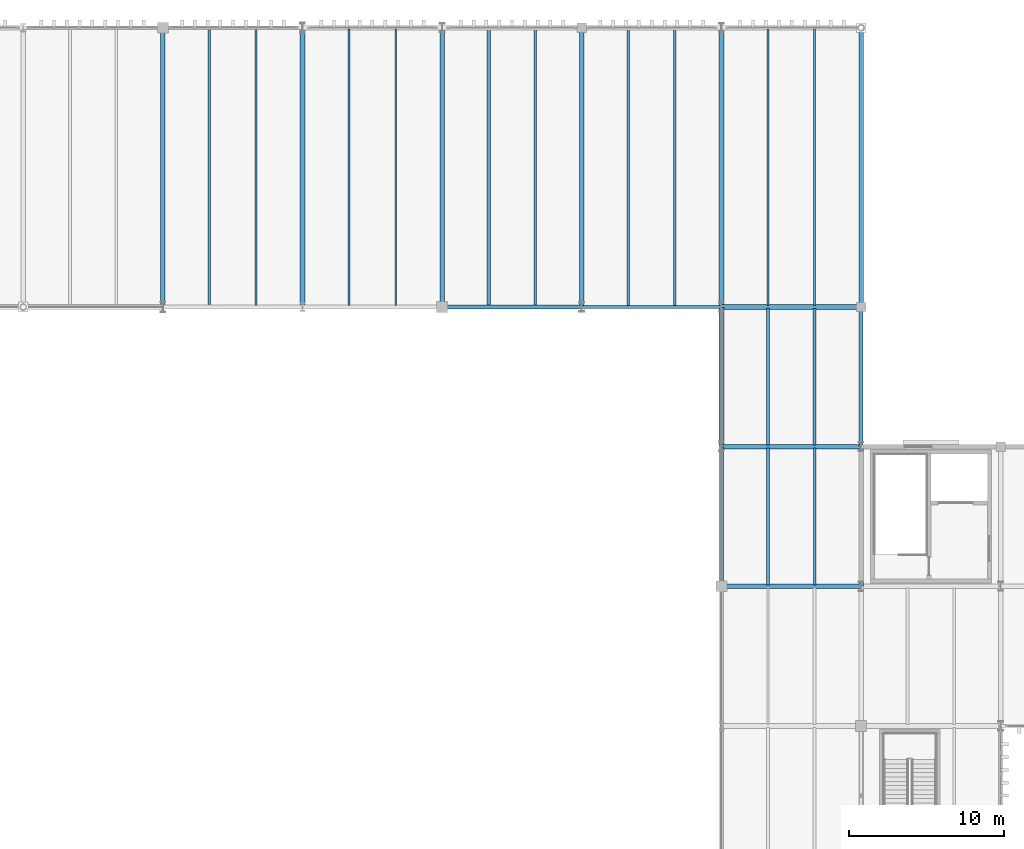
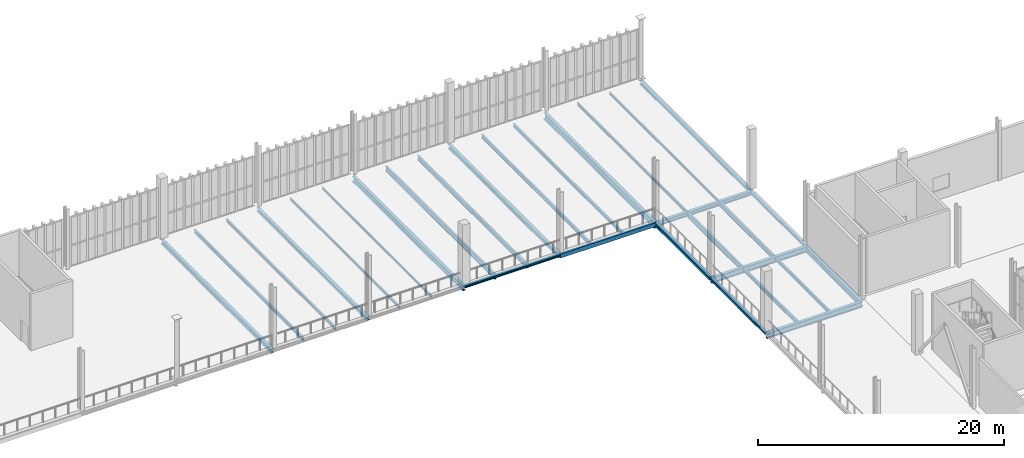
# One storey, part 84 of 211: 29 beams.
"""IFC4 building model written with IfcOpenShell, lengths in metres."""

from ifc_helpers import new_model, si_unit, direction, frame, origin, origin_2d, place, context, subcontext, project, spatial, hollow_rectangle, i_section, extrude, material, material_profile, profile_set, type_object, element, save


model = new_model("IFC4")

# Units and contexts
model_context = context("Model", 3, precision=1e-05, world=origin(), true_north=direction((0.0, 1.0)))
body_context = subcontext(model_context, "Body", "Model", "MODEL_VIEW")
ifc_project = project(units=[si_unit("LENGTHUNIT", "METRE"), si_unit("AREAUNIT", "SQUARE_METRE"), si_unit("VOLUMEUNIT", "CUBIC_METRE"), si_unit("PLANEANGLEUNIT", "RADIAN"), si_unit("MASSUNIT", "GRAM", prefix="KILO")], contexts=[model_context])

# Site, building, storey
site_placement = place(None, origin())
site = spatial("IfcSite", under=ifc_project, at=site_placement, CompositionType="ELEMENT")
building_placement = place(site_placement, origin())
building = spatial("IfcBuilding", under=site, at=building_placement, Name="Barlavento Convention Centre", CompositionType="ELEMENT")
storey_placement = place(building_placement, frame((0.0, 0.0, 6.0)))
storey = spatial("IfcBuildingStorey", under=building, at=storey_placement, Name="L01", CompositionType="ELEMENT", Elevation=6.0)

# Beams
ifc_material = material(Name="Steel S355", Category="steel")
ifc_material_profile_1 = material_profile(ifc_material, i_section(OverallWidth=0.110107421875, OverallDepth=0.219970703125, WebThickness=0.005859375, FlangeThickness=0.00927734375, FilletRadius=0.011962890625, at=origin_2d()), Name="IPE 220")
ifc_profile_set_1 = profile_set([ifc_material_profile_1], Name="Steel S355")
beam_type_1 = type_object("IfcBeamType", Name="STR-BM-JST-IPE220", PredefinedType="JOIST", material=ifc_profile_set_1)
beam_1_placement = place(storey_placement, frame((96.0, 117.094970703125, -0.389892578125), z_axis=(0.0, 1.0, 0.0), x_axis=(-1.0, 0.0, 0.0)))
element("IfcBeam", 1, at=beam_1_placement, inside=storey, type_object=beam_type_1, Name="L01 composite floor joist SJ10", PredefinedType="JOIST", context=body_context, shape_type="SweptSolid", body=[
    extrude(i_section(OverallWidth=0.110107421875, OverallDepth=0.219970703125, WebThickness=0.005859375, FlangeThickness=0.00927734375, FilletRadius=0.011962890625, at=origin_2d()), origin(), (0.0, 0.0, 1.0), 17.81005859375),
])
ifc_material_profile_2 = material_profile(ifc_material, i_section(OverallWidth=0.1201171875, OverallDepth=0.239990234375, WebThickness=0.006103515625, FlangeThickness=0.009765625, FilletRadius=0.014892578125, at=origin_2d()), Name="IPE 240")
ifc_profile_set_2 = profile_set([ifc_material_profile_2], Name="Steel S355")
beam_type_2 = type_object("IfcBeamType", Name="STR-BM-JST-IPE240", PredefinedType="JOIST", material=ifc_profile_set_2)
for number, where, z_axis, x_axis, name in (
    (2, (93.0, 117.094970703125, -0.39990234375), (0.0, 1.0, 0.0), (-1.0, 0.0, 0.0), "L01 composite floor joist SJ09"),
    (3, (123.0, 117.094970703125, -0.39990234375), (0.0, 1.0, 0.0), (-1.0, 0.0, 0.0), "L01 composite floor joist SJ09"),
):
    element("IfcBeam", number, at=place(storey_placement, frame(where, z_axis=z_axis, x_axis=x_axis)), inside=storey, type_object=beam_type_2, Name=name, PredefinedType="JOIST", context=body_context, shape_type="SweptSolid", body=[
        extrude(i_section(OverallWidth=0.1201171875, OverallDepth=0.239990234375, WebThickness=0.006103515625, FlangeThickness=0.009765625, FilletRadius=0.014892578125, at=origin_2d()), origin(), (0.0, 0.0, 1.0), 17.81005859375),
    ])
ifc_material_profile_3 = material_profile(ifc_material, i_section(OverallWidth=0.135009765625, OverallDepth=0.27001953125, WebThickness=0.006591796875, FlangeThickness=0.01025390625, FilletRadius=0.014892578125, at=origin_2d()), Name="IPE 270")
ifc_profile_set_3 = profile_set([ifc_material_profile_3], Name="Steel S355")
beam_type_3 = type_object("IfcBeamType", Name="STR-BM-JST-IPE270", PredefinedType="JOIST", material=ifc_profile_set_3)
beam_2_placement = place(storey_placement, frame((120.0, 117.094970703125, -0.4150390625), z_axis=(0.0, 1.0, 0.0), x_axis=(-1.0, 0.0, 0.0)))
element("IfcBeam", 4, at=beam_2_placement, inside=storey, type_object=beam_type_3, Name="L01 composite floor joist SJ08", PredefinedType="JOIST", context=body_context, shape_type="SweptSolid", body=[
    extrude(i_section(OverallWidth=0.135009765625, OverallDepth=0.27001953125, WebThickness=0.006591796875, FlangeThickness=0.01025390625, FilletRadius=0.014892578125, at=origin_2d()), origin(), (0.0, 0.0, 1.0), 17.81005859375),
])
ifc_material_profile_4 = material_profile(ifc_material, i_section(OverallWidth=0.14990234375, OverallDepth=0.300048828125, WebThickness=0.007080078125, FlangeThickness=0.0107421875, FilletRadius=0.014892578125, at=origin_2d()), Name="IPE 300")
ifc_profile_set_4 = profile_set([ifc_material_profile_4], Name="Steel S355")
beam_type_4 = type_object("IfcBeamType", Name="STR-BM-JST-IPE300", PredefinedType="JOIST", material=ifc_profile_set_4)
beam_3_placement = place(storey_placement, frame((87.0, 117.094970703125, -0.429931640625), z_axis=(0.0, 1.0, 0.0), x_axis=(-1.0, 0.0, 0.0)))
element("IfcBeam", 5, at=beam_3_placement, inside=storey, type_object=beam_type_4, Name="L01 composite floor joist SJ07", PredefinedType="JOIST", context=body_context, shape_type="SweptSolid", body=[
    extrude(i_section(OverallWidth=0.14990234375, OverallDepth=0.300048828125, WebThickness=0.007080078125, FlangeThickness=0.0107421875, FilletRadius=0.014892578125, at=origin_2d()), origin(), (0.0, 0.0, 1.0), 17.81005859375),
])
ifc_material_profile_5 = material_profile(ifc_material, i_section(OverallWidth=0.159912109375, OverallDepth=0.330078125, WebThickness=0.007568359375, FlangeThickness=0.011474609375, FilletRadius=0.01806640625, at=origin_2d()), Name="IPE 330")
ifc_profile_set_5 = profile_set([ifc_material_profile_5], Name="Steel S355")
beam_type_5 = type_object("IfcBeamType", Name="STR-BM-JST-IPE330", PredefinedType="JOIST", material=ifc_profile_set_5)
beam_4_placement = place(storey_placement, frame((123.0, 99.094970703125, -0.445068359375), z_axis=(0.0, 1.0, 0.0), x_axis=(-1.0, 0.0, 0.0)))
element("IfcBeam", 6, at=beam_4_placement, inside=storey, type_object=beam_type_5, Name="L01 composite floor joist SJ06", PredefinedType="JOIST", context=body_context, shape_type="SweptSolid", body=[
    extrude(i_section(OverallWidth=0.159912109375, OverallDepth=0.330078125, WebThickness=0.007568359375, FlangeThickness=0.011474609375, FilletRadius=0.01806640625, at=origin_2d()), origin(), (0.0, 0.0, 1.0), 8.81005859375),
])
for number, where, z_axis, x_axis, name in (
    (7, (84.0, 117.094970703125, -0.445068359375), (0.0, 1.0, 0.0), (-1.0, 0.0, 0.0), "L01 composite floor joist SJ06"),
    (8, (114.0, 117.094970703125, -0.445068359375), (0.0, 1.0, 0.0), (-1.0, 0.0, 0.0), "L01 composite floor joist SJ06"),
):
    element("IfcBeam", number, at=place(storey_placement, frame(where, z_axis=z_axis, x_axis=x_axis)), inside=storey, type_object=beam_type_5, Name=name, PredefinedType="JOIST", context=body_context, shape_type="SweptSolid", body=[
        extrude(i_section(OverallWidth=0.159912109375, OverallDepth=0.330078125, WebThickness=0.007568359375, FlangeThickness=0.011474609375, FilletRadius=0.01806640625, at=origin_2d()), origin(), (0.0, 0.0, 1.0), 17.81005859375),
    ])
ifc_material_profile_6 = material_profile(ifc_material, i_section(OverallWidth=0.169921875, OverallDepth=0.360107421875, WebThickness=0.008056640625, FlangeThickness=0.0126953125, FilletRadius=0.01806640625, at=origin_2d()), Name="IPE 360")
ifc_profile_set_6 = profile_set([ifc_material_profile_6], Name="Steel S355")
beam_type_6 = type_object("IfcBeamType", Name="STR-BM-JST-IPE360", PredefinedType="JOIST", material=ifc_profile_set_6)
beam_5_placement = place(storey_placement, frame((120.0, 99.094970703125, -0.4599609375), z_axis=(0.0, 1.0, 0.0), x_axis=(-1.0, 0.0, 0.0)))
element("IfcBeam", 9, at=beam_5_placement, inside=storey, type_object=beam_type_6, Name="L01 composite floor joist SJ05", PredefinedType="JOIST", context=body_context, shape_type="SweptSolid", body=[
    extrude(i_section(OverallWidth=0.169921875, OverallDepth=0.360107421875, WebThickness=0.008056640625, FlangeThickness=0.0126953125, FilletRadius=0.01806640625, at=origin_2d()), origin(), (0.0, 0.0, 1.0), 8.81005859375),
])
beam_6_placement = place(storey_placement, frame((111.0, 117.094970703125, -0.4599609375), z_axis=(0.0, 1.0, 0.0), x_axis=(-1.0, 0.0, 0.0)))
element("IfcBeam", 10, at=beam_6_placement, inside=storey, type_object=beam_type_6, Name="L01 composite floor joist SJ05", PredefinedType="JOIST", context=body_context, shape_type="SweptSolid", body=[
    extrude(i_section(OverallWidth=0.169921875, OverallDepth=0.360107421875, WebThickness=0.008056640625, FlangeThickness=0.0126953125, FilletRadius=0.01806640625, at=origin_2d()), origin(), (0.0, 0.0, 1.0), 17.81005859375),
])
ifc_material_profile_7 = material_profile(ifc_material, i_section(OverallWidth=0.18994140625, OverallDepth=0.449951171875, WebThickness=0.009521484375, FlangeThickness=0.0146484375, FilletRadius=0.02099609375, at=origin_2d()), Name="IPE 450")
ifc_profile_set_7 = profile_set([ifc_material_profile_7], Name="Steel S355")
beam_type_7 = type_object("IfcBeamType", Name="STR-BM-JST-IPE450", PredefinedType="JOIST", material=ifc_profile_set_7)
beam_7_placement = place(storey_placement, frame((123.0, 108.094970703125, -0.5048828125), z_axis=(0.0, 1.0, 0.0), x_axis=(-1.0, 0.0, 0.0)))
element("IfcBeam", 11, at=beam_7_placement, inside=storey, type_object=beam_type_7, Name="L01 composite floor joist SJ03", PredefinedType="JOIST", context=body_context, shape_type="SweptSolid", body=[
    extrude(i_section(OverallWidth=0.18994140625, OverallDepth=0.449951171875, WebThickness=0.009521484375, FlangeThickness=0.0146484375, FilletRadius=0.02099609375, at=origin_2d()), origin(), (0.0, 0.0, 1.0), 8.81005859375),
])
beam_8_placement = place(storey_placement, frame((105.0, 117.094970703125, -0.5048828125), z_axis=(0.0, 1.0, 0.0), x_axis=(-1.0, 0.0, 0.0)))
element("IfcBeam", 12, at=beam_8_placement, inside=storey, type_object=beam_type_7, Name="L01 composite floor joist SJ03", PredefinedType="JOIST", context=body_context, shape_type="SweptSolid", body=[
    extrude(i_section(OverallWidth=0.18994140625, OverallDepth=0.449951171875, WebThickness=0.009521484375, FlangeThickness=0.0146484375, FilletRadius=0.02099609375, at=origin_2d()), origin(), (0.0, 0.0, 1.0), 17.81005859375),
])
ifc_material_profile_8 = material_profile(ifc_material, i_section(OverallWidth=0.199951171875, OverallDepth=0.5, WebThickness=0.01025390625, FlangeThickness=0.01611328125, FilletRadius=0.02099609375, at=origin_2d()), Name="IPE 500")
ifc_profile_set_8 = profile_set([ifc_material_profile_8], Name="Steel S355")
beam_type_8 = type_object("IfcBeamType", Name="STR-BM-JST-IPE500", PredefinedType="JOIST", material=ifc_profile_set_8)
beam_9_placement = place(storey_placement, frame((120.0, 108.094970703125, -0.530029296875), z_axis=(0.0, 1.0, 0.0), x_axis=(-1.0, 0.0, 0.0)))
element("IfcBeam", 13, at=beam_9_placement, inside=storey, type_object=beam_type_8, Name="L01 composite floor joist SJ02", PredefinedType="JOIST", context=body_context, shape_type="SweptSolid", body=[
    extrude(i_section(OverallWidth=0.199951171875, OverallDepth=0.5, WebThickness=0.01025390625, FlangeThickness=0.01611328125, FilletRadius=0.02099609375, at=origin_2d()), origin(), (0.0, 0.0, 1.0), 8.81005859375),
])
beam_10_placement = place(storey_placement, frame((102.0, 117.094970703125, -0.530029296875), z_axis=(0.0, 1.0, 0.0), x_axis=(-1.0, 0.0, 0.0)))
element("IfcBeam", 14, at=beam_10_placement, inside=storey, type_object=beam_type_8, Name="L01 composite floor joist SJ02", PredefinedType="JOIST", context=body_context, shape_type="SweptSolid", body=[
    extrude(i_section(OverallWidth=0.199951171875, OverallDepth=0.5, WebThickness=0.01025390625, FlangeThickness=0.01611328125, FilletRadius=0.02099609375, at=origin_2d()), origin(), (0.0, 0.0, 1.0), 17.81005859375),
])
ifc_material_profile_9 = material_profile(ifc_material, i_section(OverallWidth=0.300048828125, OverallDepth=0.330078125, WebThickness=0.009521484375, FlangeThickness=0.0166015625, FilletRadius=0.027099609375, at=origin_2d()), Name="HEA 340")
ifc_profile_set_9 = profile_set([ifc_material_profile_9], Name="Steel S355")
beam_type_9 = type_object("IfcBeamType", Name="STR-BM-PRI-HEA340", PredefinedType="BEAM", material=ifc_profile_set_9)
beam_11_placement = place(storey_placement, frame((90.0, 117.02001953125, -0.445068359375), z_axis=(0.0, 1.0, 0.0), x_axis=(-1.0, 0.0, 0.0)))
element("IfcBeam", 15, at=beam_11_placement, inside=storey, type_object=beam_type_9, Name="L01 grid girder BG24", PredefinedType="BEAM", context=body_context, shape_type="SweptSolid", body=[
    extrude(i_section(OverallWidth=0.300048828125, OverallDepth=0.330078125, WebThickness=0.009521484375, FlangeThickness=0.0166015625, FilletRadius=0.027099609375, at=origin_2d()), origin(), (0.0, 0.0, 1.0), 17.9599609375),
])
ifc_material_profile_10 = material_profile(ifc_material, i_section(OverallWidth=0.300048828125, OverallDepth=0.389892578125, WebThickness=0.010986328125, FlangeThickness=0.01904296875, FilletRadius=0.027099609375, at=origin_2d()), Name="HEA 400")
ifc_profile_set_10 = profile_set([ifc_material_profile_10], Name="Steel S355")
beam_type_10 = type_object("IfcBeamType", Name="STR-BM-PRI-HEA400", PredefinedType="BEAM", material=ifc_profile_set_10)
beam_12_placement = place(storey_placement, frame((108.0, 117.02001953125, -0.47509765625), z_axis=(0.0, 1.0, 0.0), x_axis=(-1.0, 0.0, 0.0)))
element("IfcBeam", 16, at=beam_12_placement, inside=storey, type_object=beam_type_10, Name="L01 grid girder BG22", PredefinedType="BEAM", context=body_context, shape_type="SweptSolid", body=[
    extrude(i_section(OverallWidth=0.300048828125, OverallDepth=0.389892578125, WebThickness=0.010986328125, FlangeThickness=0.01904296875, FilletRadius=0.027099609375, at=origin_2d()), origin(), (0.0, 0.0, 1.0), 17.9599609375),
])
ifc_material_profile_11 = material_profile(ifc_material, i_section(OverallWidth=0.300048828125, OverallDepth=0.43994140625, WebThickness=0.011474609375, FlangeThickness=0.02099609375, FilletRadius=0.027099609375, at=origin_2d()), Name="HEA 450")
ifc_profile_set_11 = profile_set([ifc_material_profile_11], Name="Steel S355")
beam_type_11 = type_object("IfcBeamType", Name="STR-BM-PRI-HEA450", PredefinedType="BEAM", material=ifc_profile_set_11)
beam_13_placement = place(storey_placement, frame((81.0, 117.02001953125, -0.5), z_axis=(0.0, 1.0, 0.0), x_axis=(-1.0, 0.0, 0.0)))
element("IfcBeam", 17, at=beam_13_placement, inside=storey, type_object=beam_type_11, Name="L01 grid girder BG21", PredefinedType="BEAM", context=body_context, shape_type="SweptSolid", body=[
    extrude(i_section(OverallWidth=0.300048828125, OverallDepth=0.43994140625, WebThickness=0.011474609375, FlangeThickness=0.02099609375, FilletRadius=0.027099609375, at=origin_2d()), origin(), (0.0, 0.0, 1.0), 17.9599609375),
])
ifc_material_profile_12 = material_profile(ifc_material, i_section(OverallWidth=0.300048828125, OverallDepth=0.5400390625, WebThickness=0.012451171875, FlangeThickness=0.02392578125, FilletRadius=0.027099609375, at=origin_2d()), Name="HEA 550")
ifc_profile_set_12 = profile_set([ifc_material_profile_12], Name="Steel S355")
beam_type_12 = type_object("IfcBeamType", Name="STR-BM-PRI-HEA550", PredefinedType="BEAM", material=ifc_profile_set_12)
beam_14_placement = place(storey_placement, frame((126.0, 99.02001953125, -0.6298828125), z_axis=(0.0, 1.0, 0.0), x_axis=(-1.0, 0.0, 0.0)))
element("IfcBeam", 18, at=beam_14_placement, inside=storey, type_object=beam_type_12, Name="L01 grid girder BG19", PredefinedType="BEAM", context=body_context, shape_type="SweptSolid", body=[
    extrude(i_section(OverallWidth=0.300048828125, OverallDepth=0.5400390625, WebThickness=0.012451171875, FlangeThickness=0.02392578125, FilletRadius=0.027099609375, at=origin_2d()), origin(), (0.0, 0.0, 1.0), 8.9599609375),
])
beam_15_placement = place(storey_placement, frame((99.0, 117.02001953125, -0.550048828125), z_axis=(0.0, 1.0, 0.0), x_axis=(-1.0, 0.0, 0.0)))
element("IfcBeam", 19, at=beam_15_placement, inside=storey, type_object=beam_type_12, Name="L01 grid girder BG19", PredefinedType="BEAM", context=body_context, shape_type="SweptSolid", body=[
    extrude(i_section(OverallWidth=0.300048828125, OverallDepth=0.5400390625, WebThickness=0.012451171875, FlangeThickness=0.02392578125, FilletRadius=0.027099609375, at=origin_2d()), origin(), (0.0, 0.0, 1.0), 17.9599609375),
])
ifc_material_profile_13 = material_profile(ifc_material, i_section(OverallWidth=0.300048828125, OverallDepth=0.639892578125, WebThickness=0.013427734375, FlangeThickness=0.02587890625, FilletRadius=0.027099609375, at=origin_2d()), Name="HEA 650")
ifc_profile_set_13 = profile_set([ifc_material_profile_13], Name="Steel S355")
beam_type_13 = type_object("IfcBeamType", Name="STR-BM-PRI-HEA650", PredefinedType="BEAM", material=ifc_profile_set_13)
beam_16_placement = place(storey_placement, frame((117.0, 117.02001953125, -0.60009765625), z_axis=(0.0, 1.0, 0.0), x_axis=(-1.0, 0.0, 0.0)))
element("IfcBeam", 20, at=beam_16_placement, inside=storey, type_object=beam_type_13, Name="L01 grid girder BG17", PredefinedType="BEAM", context=body_context, shape_type="SweptSolid", body=[
    extrude(i_section(OverallWidth=0.300048828125, OverallDepth=0.639892578125, WebThickness=0.013427734375, FlangeThickness=0.02587890625, FilletRadius=0.027099609375, at=origin_2d()), origin(), (0.0, 0.0, 1.0), 17.9599609375),
])
ifc_material_profile_14 = material_profile(ifc_material, i_section(OverallWidth=0.300048828125, OverallDepth=0.39990234375, WebThickness=0.013427734375, FlangeThickness=0.02392578125, FilletRadius=0.027099609375, at=origin_2d()), Name="HEB 400")
ifc_profile_set_14 = profile_set([ifc_material_profile_14], Name="Steel S355")
beam_type_14 = type_object("IfcBeamType", Name="STR-BM-PRI-HEB400", PredefinedType="BEAM", material=ifc_profile_set_14)
beam_17_placement = place(storey_placement, frame((117.02001953125, 117.0, -0.47998046875), z_axis=(1.0, 0.0, 0.0), x_axis=(0.0, 1.0, 0.0)))
element("IfcBeam", 21, at=beam_17_placement, inside=storey, type_object=beam_type_14, Name="L01 primary girder BG11", PredefinedType="BEAM", context=body_context, shape_type="SweptSolid", body=[
    extrude(i_section(OverallWidth=0.300048828125, OverallDepth=0.39990234375, WebThickness=0.013427734375, FlangeThickness=0.02392578125, FilletRadius=0.027099609375, at=origin_2d()), origin(), (0.0, 0.0, 1.0), 8.9599609375),
])
ifc_material_profile_15 = material_profile(ifc_material, i_section(OverallWidth=0.300048828125, OverallDepth=0.550048828125, WebThickness=0.014892578125, FlangeThickness=0.029052734375, FilletRadius=0.027099609375, at=origin_2d()), Name="HEB 550")
ifc_profile_set_15 = profile_set([ifc_material_profile_15], Name="Steel S355")
beam_type_15 = type_object("IfcBeamType", Name="STR-BM-PRI-HEB550", PredefinedType="BEAM", material=ifc_profile_set_15)
for number, where, z_axis, x_axis, name in (
    (22, (117.02001953125, 99.0, -0.635009765625), (1.0, 0.0, 0.0), (0.0, 1.0, 0.0), "L01 primary girder BG08"),
    (23, (117.02001953125, 108.0, -0.60498046875), (1.0, 0.0, 0.0), (0.0, 1.0, 0.0), "L01 primary girder BG08"),
):
    element("IfcBeam", number, at=place(storey_placement, frame(where, z_axis=z_axis, x_axis=x_axis)), inside=storey, type_object=beam_type_15, Name=name, PredefinedType="BEAM", context=body_context, shape_type="SweptSolid", body=[
        extrude(i_section(OverallWidth=0.300048828125, OverallDepth=0.550048828125, WebThickness=0.014892578125, FlangeThickness=0.029052734375, FilletRadius=0.027099609375, at=origin_2d()), origin(), (0.0, 0.0, 1.0), 8.9599609375),
    ])
ifc_material_profile_16 = material_profile(ifc_material, i_section(OverallWidth=0.239990234375, OverallDepth=0.22998046875, WebThickness=0.007568359375, FlangeThickness=0.011962890625, FilletRadius=0.02099609375, at=origin_2d()), Name="HEA 240")
ifc_profile_set_16 = profile_set([ifc_material_profile_16], Name="Steel S355")
beam_type_16 = type_object("IfcBeamType", Name="STR-BM-SPN-HEA240", PredefinedType="SPANDREL", material=ifc_profile_set_16)
beam_18_placement = place(storey_placement, frame((99.02001953125, 117.0, -0.39501953125), z_axis=(1.0, 0.0, 0.0), x_axis=(0.0, 1.0, 0.0)))
element("IfcBeam", 24, at=beam_18_placement, inside=storey, type_object=beam_type_16, Name="L01 primary girder SP05", PredefinedType="SPANDREL", context=body_context, shape_type="SweptSolid", body=[
    extrude(i_section(OverallWidth=0.239990234375, OverallDepth=0.22998046875, WebThickness=0.007568359375, FlangeThickness=0.011962890625, FilletRadius=0.02099609375, at=origin_2d()), origin(), (0.0, 0.0, 1.0), 8.9599609375),
])
ifc_material_profile_17 = material_profile(ifc_material, i_section(OverallWidth=0.260009765625, OverallDepth=0.25, WebThickness=0.007568359375, FlangeThickness=0.012451171875, FilletRadius=0.02392578125, at=origin_2d()), Name="HEA 260")
ifc_profile_set_17 = profile_set([ifc_material_profile_17], Name="Steel S355")
beam_type_17 = type_object("IfcBeamType", Name="STR-BM-SPN-HEA260", PredefinedType="SPANDREL", material=ifc_profile_set_17)
for number, where, z_axis, x_axis, name in (
    (25, (117.0, 99.02001953125, -0.405029296875), (0.0, 1.0, 0.0), (-1.0, 0.0, 0.0), "L01 grid girder SP04"),
    (26, (126.0, 108.02001953125, -0.455078125), (0.0, 1.0, 0.0), (-1.0, 0.0, 0.0), "L01 grid girder SP04"),
):
    element("IfcBeam", number, at=place(storey_placement, frame(where, z_axis=z_axis, x_axis=x_axis)), inside=storey, type_object=beam_type_17, Name=name, PredefinedType="SPANDREL", context=body_context, shape_type="SweptSolid", body=[
        extrude(i_section(OverallWidth=0.260009765625, OverallDepth=0.25, WebThickness=0.007568359375, FlangeThickness=0.012451171875, FilletRadius=0.02392578125, at=origin_2d()), origin(), (0.0, 0.0, 1.0), 8.9599609375),
    ])
ifc_material_profile_18 = material_profile(ifc_material, i_section(OverallWidth=0.300048828125, OverallDepth=0.2900390625, WebThickness=0.008544921875, FlangeThickness=0.013916015625, FilletRadius=0.027099609375, at=origin_2d()), Name="HEA 300")
ifc_profile_set_18 = profile_set([ifc_material_profile_18], Name="Steel S355")
beam_type_18 = type_object("IfcBeamType", Name="STR-BM-SPN-HEA300", PredefinedType="SPANDREL", material=ifc_profile_set_18)
beam_19_placement = place(storey_placement, frame((126.0, 117.02001953125, -0.425048828125), z_axis=(0.0, 1.0, 0.0), x_axis=(-1.0, 0.0, 0.0)))
element("IfcBeam", 27, at=beam_19_placement, inside=storey, type_object=beam_type_18, Name="L01 grid girder SP02", PredefinedType="SPANDREL", context=body_context, shape_type="SweptSolid", body=[
    extrude(i_section(OverallWidth=0.300048828125, OverallDepth=0.2900390625, WebThickness=0.008544921875, FlangeThickness=0.013916015625, FilletRadius=0.027099609375, at=origin_2d()), origin(), (0.0, 0.0, 1.0), 17.9599609375),
])
ifc_material_profile_19 = material_profile(ifc_material, i_section(OverallWidth=0.300048828125, OverallDepth=0.31005859375, WebThickness=0.009033203125, FlangeThickness=0.015380859375, FilletRadius=0.027099609375, at=origin_2d()), Name="HEA 320")
ifc_profile_set_19 = profile_set([ifc_material_profile_19], Name="Steel S355")
beam_type_19 = type_object("IfcBeamType", Name="STR-BM-SPN-HEA320", PredefinedType="SPANDREL", material=ifc_profile_set_19)
beam_20_placement = place(storey_placement, frame((117.0, 108.02001953125, -0.43505859375), z_axis=(0.0, 1.0, 0.0), x_axis=(-1.0, 0.0, 0.0)))
element("IfcBeam", 28, at=beam_20_placement, inside=storey, type_object=beam_type_19, Name="L01 grid girder SP01", PredefinedType="SPANDREL", context=body_context, shape_type="SweptSolid", body=[
    extrude(i_section(OverallWidth=0.300048828125, OverallDepth=0.31005859375, WebThickness=0.009033203125, FlangeThickness=0.015380859375, FilletRadius=0.027099609375, at=origin_2d()), origin(), (0.0, 0.0, 1.0), 8.9599609375),
])
ifc_material_profile_20 = material_profile(ifc_material, hollow_rectangle(XDim=0.199951171875, YDim=0.39990234375, WallThickness=0.01611328125, at=origin_2d()), Name="RHS 400x200x16.0")
ifc_profile_set_20 = profile_set([ifc_material_profile_20], Name="Steel S355")
beam_type_20 = type_object("IfcBeamType", Name="STR-BM-SPN-RHS400", PredefinedType="SPANDREL", material=ifc_profile_set_20)
beam_21_placement = place(storey_placement, frame((108.02001953125, 117.0, -0.47998046875), z_axis=(1.0, 0.0, 0.0), x_axis=(0.0, 1.0, 0.0)))
element("IfcBeam", 29, at=beam_21_placement, inside=storey, type_object=beam_type_20, Name="L01 primary girder SP06", PredefinedType="SPANDREL", context=body_context, shape_type="SweptSolid", body=[
    extrude(hollow_rectangle(XDim=0.199951171875, YDim=0.39990234375, WallThickness=0.01611328125, at=origin_2d()), origin(), (0.0, 0.0, 1.0), 8.9599609375),
])

save(model, "model.ifc")
